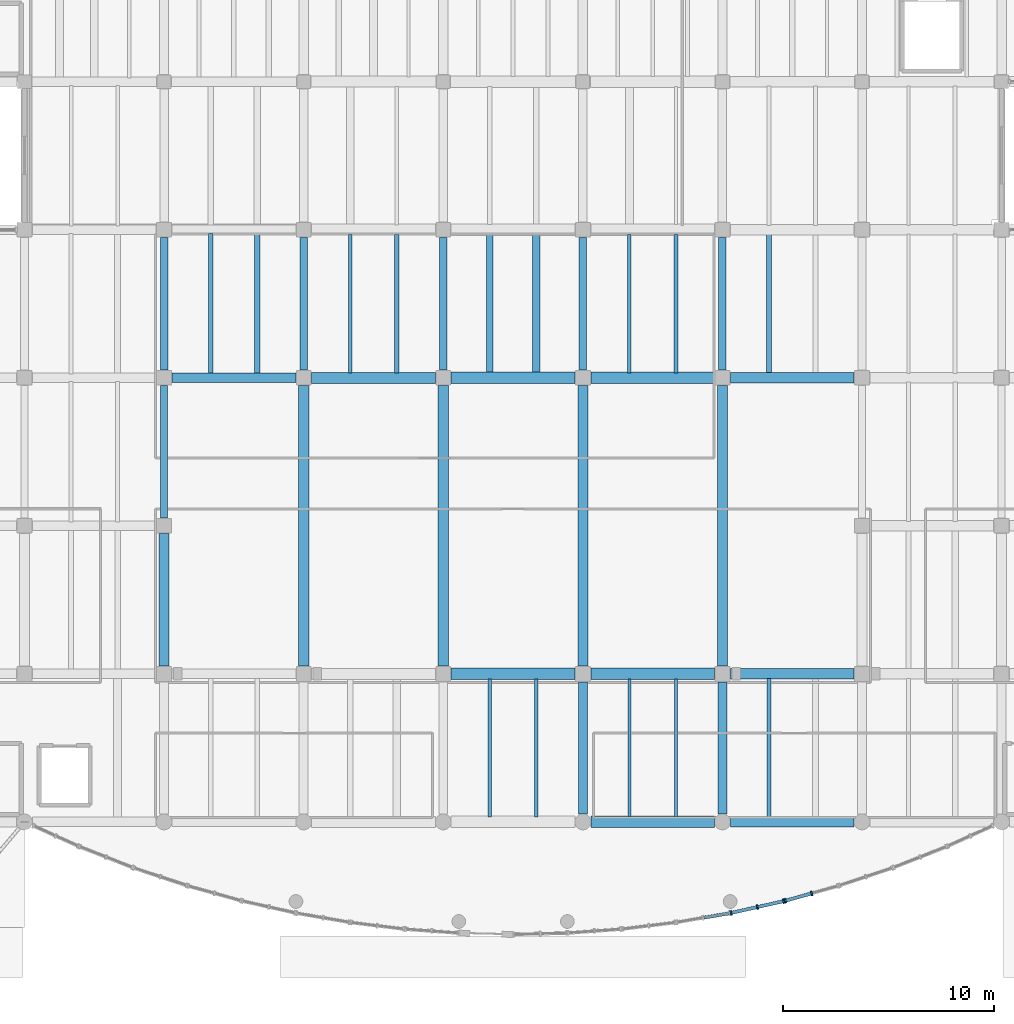
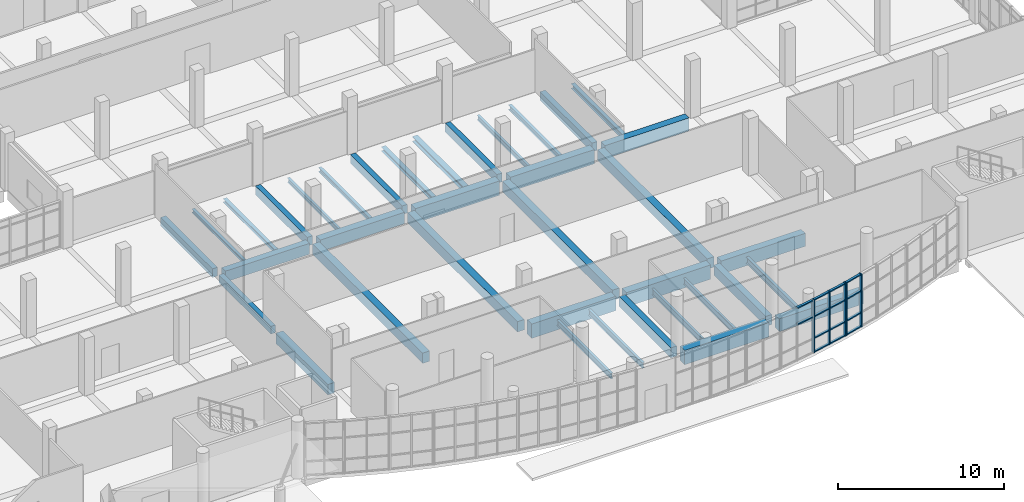
# One storey, part 12 of 69: 37 beams, 19 members, 3 elements without a shape of their own.
"""IFC4 building model written with IfcOpenShell, lengths in metres."""

from ifc_helpers import new_model, si_unit, direction, frame, origin, origin_2d, place, context, subcontext, project, spatial, rectangle, i_section, extrude, material, material_profile, profile_set, type_object, element, aggregate, save


model = new_model("IFC4")

# Units and contexts
model_context = context("Model", 3, precision=1e-05, world=origin(), true_north=direction((0.0, 1.0)))
body_context = subcontext(model_context, "Body", "Model", "MODEL_VIEW")
ifc_project = project(units=[si_unit("LENGTHUNIT", "METRE"), si_unit("AREAUNIT", "SQUARE_METRE"), si_unit("VOLUMEUNIT", "CUBIC_METRE"), si_unit("PLANEANGLEUNIT", "RADIAN"), si_unit("MASSUNIT", "GRAM", prefix="KILO")], contexts=[model_context])

# Site, building, storey
site_placement = place(None, origin())
site = spatial("IfcSite", under=ifc_project, at=site_placement, CompositionType="ELEMENT")
building_placement = place(site_placement, origin())
building = spatial("IfcBuilding", under=site, at=building_placement, Name="Ciguamira Faculty of Natural Sciences", CompositionType="ELEMENT")
storey_placement = place(building_placement, origin())
storey = spatial("IfcBuildingStorey", under=building, at=storey_placement, Name="L00", CompositionType="ELEMENT", Elevation=0.0)

# Curtain wall, members
ifc_material_1 = material(Name="Anodized aluminium curtain wall", Category="aluminium")
curtain_wall_type_1 = type_object("IfcCurtainWallType", Name="CurtainWall_CW-07", PredefinedType="USERDEFINED", material=ifc_material_1)
curtain_wall_1_placement = place(storey_placement, origin())
curtain_wall_1 = element("IfcCurtainWall", 1, at=curtain_wall_1_placement, inside=storey, type_object=curtain_wall_type_1, Name="L00 south gallery curved curtain wall 14", ObjectType="UNITISED CURTAIN WALL", PredefinedType="USERDEFINED")
ifc_material_2 = material(Name="Anodized aluminium mullion", Category="aluminium")
ifc_material_profile_1 = material_profile(ifc_material_2, rectangle(XDim=0.080078125, YDim=0.219970703125, at=origin_2d()), Name="ALU-MUL-80X220")
ifc_profile_set_1 = profile_set([ifc_material_profile_1], Name="Anodized aluminium mullion")
member_type_1 = type_object("IfcMemberType", Name="CWMullion_CWM-03", PredefinedType="MULLION", material=ifc_profile_set_1)
member_1_placement = place(storey_placement, frame((97.3056640625, 5.6953125, 0.0), z_axis=(0.0, 0.0, 1.0), x_axis=(0.975762990759, 0.218830038763, 0.0)))
member_1 = element("IfcMember", 2, at=member_1_placement, type_object=member_type_1, Name="CW-07 mullion 1", PredefinedType="MULLION", context=body_context, shape_type="SweptSolid", body=[
    extrude(rectangle(XDim=0.080078125, YDim=0.219970703125, at=origin_2d()), origin(), (0.0, 0.0, 1.0), 3.89990234375),
])
member_2_placement = place(storey_placement, frame((98.550048828125, 5.974365234375, 0.0), z_axis=(0.0, 0.0, 1.0), x_axis=(0.975762990759, 0.218830038763, 0.0)))
member_2 = element("IfcMember", 3, at=member_2_placement, type_object=member_type_1, Name="CW-07 mullion 2", PredefinedType="MULLION", context=body_context, shape_type="SweptSolid", body=[
    extrude(rectangle(XDim=0.080078125, YDim=0.219970703125, at=origin_2d()), origin(), (0.0, 0.0, 1.0), 3.89990234375),
])
member_3_placement = place(storey_placement, frame((99.794189453125, 6.25341796875, 0.0), z_axis=(0.0, 0.0, 1.0), x_axis=(0.975762990759, 0.218830038763, 0.0)))
member_3 = element("IfcMember", 4, at=member_3_placement, type_object=member_type_1, Name="CW-07 mullion 3", PredefinedType="MULLION", context=body_context, shape_type="SweptSolid", body=[
    extrude(rectangle(XDim=0.080078125, YDim=0.219970703125, at=origin_2d()), origin(), (0.0, 0.0, 1.0), 3.89990234375),
])

curtain_wall_type_2 = type_object("IfcCurtainWallType", Name="CurtainWall_CW-08", PredefinedType="USERDEFINED", material=ifc_material_1)
curtain_wall_2_placement = place(storey_placement, origin())
curtain_wall_2 = element("IfcCurtainWall", 5, at=curtain_wall_2_placement, inside=storey, type_object=curtain_wall_type_2, Name="L00 south gallery curved curtain wall 15", ObjectType="UNITISED CURTAIN WALL", PredefinedType="USERDEFINED")
member_4_placement = place(storey_placement, frame((99.871826171875, 6.272705078125, 0.0), z_axis=(0.0, 0.0, 1.0), x_axis=(0.963573286652, 0.267444426472, 0.0)))
member_4 = element("IfcMember", 6, at=member_4_placement, type_object=member_type_1, Name="CW-08 mullion 1", PredefinedType="MULLION", context=body_context, shape_type="SweptSolid", body=[
    extrude(rectangle(XDim=0.080078125, YDim=0.219970703125, at=origin_2d()), origin(), (0.0, 0.0, 1.0), 3.89990234375),
])
member_5_placement = place(storey_placement, frame((101.11669921875, 6.618408203125, 0.0), z_axis=(0.0, 0.0, 1.0), x_axis=(0.963573286652, 0.267444426472, 0.0)))
member_5 = element("IfcMember", 7, at=member_5_placement, type_object=member_type_1, Name="CW-08 mullion 2", PredefinedType="MULLION", context=body_context, shape_type="SweptSolid", body=[
    extrude(rectangle(XDim=0.080078125, YDim=0.219970703125, at=origin_2d()), origin(), (0.0, 0.0, 1.0), 3.89990234375),
])

curtain_wall_type_3 = type_object("IfcCurtainWallType", Name="CurtainWall_CW-06", PredefinedType="USERDEFINED", material=ifc_material_1)
curtain_wall_3_placement = place(storey_placement, origin())
curtain_wall_3 = element("IfcCurtainWall", 8, at=curtain_wall_3_placement, inside=storey, type_object=curtain_wall_type_3, Name="L00 south gallery curved curtain wall 13", ObjectType="UNITISED CURTAIN WALL", PredefinedType="USERDEFINED")
ifc_material_3 = material(Name="Anodized aluminium transom", Category="aluminium")
ifc_material_profile_2 = material_profile(ifc_material_3, rectangle(XDim=0.080078125, YDim=0.159912109375, at=origin_2d()), Name="ALU-TRN-80X160")
ifc_profile_set_2 = profile_set([ifc_material_profile_2], Name="Anodized aluminium transom")
member_type_2 = type_object("IfcMemberType", Name="CWTransom_CWT-03", PredefinedType="USERDEFINED", material=ifc_profile_set_2)
member_6_placement = place(storey_placement, frame((96.022705078125, 5.4716796875, 2.64990234375), z_axis=(0.985423139827, 0.170121237632, 0.0), x_axis=(0.0, 0.0, 1.0)))
member_6 = element("IfcMember", 9, at=member_6_placement, type_object=member_type_2, Name="CW-06 transom 2.3", ObjectType="TRANSOM", PredefinedType="USERDEFINED", context=body_context, shape_type="SweptSolid", body=[
    extrude(rectangle(XDim=0.080078125, YDim=0.159912109375, at=origin_2d()), origin(), (0.0, 0.0, 1.0), 1.1826171875),
])
member_7_placement = place(storey_placement, frame((96.022705078125, 5.4716796875, 3.860107421875), z_axis=(0.985423139827, 0.170121237632, 0.0), x_axis=(0.0, 0.0, 1.0)))
member_7 = element("IfcMember", 10, at=member_7_placement, type_object=member_type_2, Name="CW-06 transom 2.4", ObjectType="TRANSOM", PredefinedType="USERDEFINED", context=body_context, shape_type="SweptSolid", body=[
    extrude(rectangle(XDim=0.080078125, YDim=0.159912109375, at=origin_2d()), origin(), (0.0, 0.0, 1.0), 1.1826171875),
])
aggregate(curtain_wall_3, [member_6, member_7])

# Member
member_8_placement = place(storey_placement, frame((97.3447265625, 5.7041015625, 0.0400390625), z_axis=(0.97577679791, 0.218768463588, 0.0), x_axis=(0.0, 0.0, 1.0)))
member_8 = element("IfcMember", 11, at=member_8_placement, type_object=member_type_2, Name="CW-07 transom 1.1", ObjectType="TRANSOM", PredefinedType="USERDEFINED", context=body_context, shape_type="SweptSolid", body=[
    extrude(rectangle(XDim=0.080078125, YDim=0.159912109375, at=origin_2d()), origin(), (0.0, 0.0, 1.0), 1.1953125),
])

member_9_placement = place(storey_placement, frame((97.3447265625, 5.7041015625, 1.050048828125), z_axis=(0.97577679791, 0.218768463588, 0.0), x_axis=(0.0, 0.0, 1.0)))
member_9 = element("IfcMember", 12, at=member_9_placement, type_object=member_type_2, Name="CW-07 transom 1.2", ObjectType="TRANSOM", PredefinedType="USERDEFINED", context=body_context, shape_type="SweptSolid", body=[
    extrude(rectangle(XDim=0.080078125, YDim=0.159912109375, at=origin_2d()), origin(), (0.0, 0.0, 1.0), 1.1953125),
])

member_10_placement = place(storey_placement, frame((97.3447265625, 5.7041015625, 2.64990234375), z_axis=(0.97577679791, 0.218768463588, 0.0), x_axis=(0.0, 0.0, 1.0)))
member_10 = element("IfcMember", 13, at=member_10_placement, type_object=member_type_2, Name="CW-07 transom 1.3", ObjectType="TRANSOM", PredefinedType="USERDEFINED", context=body_context, shape_type="SweptSolid", body=[
    extrude(rectangle(XDim=0.080078125, YDim=0.159912109375, at=origin_2d()), origin(), (0.0, 0.0, 1.0), 1.1953125),
])

member_11_placement = place(storey_placement, frame((97.3447265625, 5.7041015625, 3.860107421875), z_axis=(0.97577679791, 0.218768463588, 0.0), x_axis=(0.0, 0.0, 1.0)))
member_11 = element("IfcMember", 14, at=member_11_placement, type_object=member_type_2, Name="CW-07 transom 1.4", ObjectType="TRANSOM", PredefinedType="USERDEFINED", context=body_context, shape_type="SweptSolid", body=[
    extrude(rectangle(XDim=0.080078125, YDim=0.159912109375, at=origin_2d()), origin(), (0.0, 0.0, 1.0), 1.1953125),
])

member_12_placement = place(storey_placement, frame((98.589111328125, 5.983154296875, 0.0400390625), z_axis=(0.975767018908, 0.218812076476, 0.0), x_axis=(0.0, 0.0, 1.0)))
member_12 = element("IfcMember", 15, at=member_12_placement, type_object=member_type_2, Name="CW-07 transom 2.1", ObjectType="TRANSOM", PredefinedType="USERDEFINED", context=body_context, shape_type="SweptSolid", body=[
    extrude(rectangle(XDim=0.080078125, YDim=0.159912109375, at=origin_2d()), origin(), (0.0, 0.0, 1.0), 1.195068359375),
])

member_13_placement = place(storey_placement, frame((98.589111328125, 5.983154296875, 1.050048828125), z_axis=(0.975767018908, 0.218812076476, 0.0), x_axis=(0.0, 0.0, 1.0)))
member_13 = element("IfcMember", 16, at=member_13_placement, type_object=member_type_2, Name="CW-07 transom 2.2", ObjectType="TRANSOM", PredefinedType="USERDEFINED", context=body_context, shape_type="SweptSolid", body=[
    extrude(rectangle(XDim=0.080078125, YDim=0.159912109375, at=origin_2d()), origin(), (0.0, 0.0, 1.0), 1.195068359375),
])

member_14_placement = place(storey_placement, frame((98.589111328125, 5.983154296875, 2.64990234375), z_axis=(0.975767018908, 0.218812076476, 0.0), x_axis=(0.0, 0.0, 1.0)))
member_14 = element("IfcMember", 17, at=member_14_placement, type_object=member_type_2, Name="CW-07 transom 2.3", ObjectType="TRANSOM", PredefinedType="USERDEFINED", context=body_context, shape_type="SweptSolid", body=[
    extrude(rectangle(XDim=0.080078125, YDim=0.159912109375, at=origin_2d()), origin(), (0.0, 0.0, 1.0), 1.195068359375),
])

member_15_placement = place(storey_placement, frame((98.589111328125, 5.983154296875, 3.860107421875), z_axis=(0.975767018908, 0.218812076476, 0.0), x_axis=(0.0, 0.0, 1.0)))
member_15 = element("IfcMember", 18, at=member_15_placement, type_object=member_type_2, Name="CW-07 transom 2.4", ObjectType="TRANSOM", PredefinedType="USERDEFINED", context=body_context, shape_type="SweptSolid", body=[
    extrude(rectangle(XDim=0.080078125, YDim=0.159912109375, at=origin_2d()), origin(), (0.0, 0.0, 1.0), 1.195068359375),
])

aggregate(curtain_wall_1, [member_1, member_2, member_3, member_8, member_9, member_10, member_11, member_12, member_13, member_14, member_15])

member_16_placement = place(storey_placement, frame((99.910400390625, 6.283447265625, 0.0400390625), z_axis=(0.963549650457, 0.267529570522, 0.0), x_axis=(0.0, 0.0, 1.0)))
member_16 = element("IfcMember", 19, at=member_16_placement, type_object=member_type_2, Name="CW-08 transom 1.1", ObjectType="TRANSOM", PredefinedType="USERDEFINED", context=body_context, shape_type="SweptSolid", body=[
    extrude(rectangle(XDim=0.080078125, YDim=0.159912109375, at=origin_2d()), origin(), (0.0, 0.0, 1.0), 1.2119140625),
])

member_17_placement = place(storey_placement, frame((99.910400390625, 6.283447265625, 1.050048828125), z_axis=(0.963549650457, 0.267529570522, 0.0), x_axis=(0.0, 0.0, 1.0)))
member_17 = element("IfcMember", 20, at=member_17_placement, type_object=member_type_2, Name="CW-08 transom 1.2", ObjectType="TRANSOM", PredefinedType="USERDEFINED", context=body_context, shape_type="SweptSolid", body=[
    extrude(rectangle(XDim=0.080078125, YDim=0.159912109375, at=origin_2d()), origin(), (0.0, 0.0, 1.0), 1.2119140625),
])

member_18_placement = place(storey_placement, frame((99.910400390625, 6.283447265625, 2.64990234375), z_axis=(0.963549650457, 0.267529570522, 0.0), x_axis=(0.0, 0.0, 1.0)))
member_18 = element("IfcMember", 21, at=member_18_placement, type_object=member_type_2, Name="CW-08 transom 1.3", ObjectType="TRANSOM", PredefinedType="USERDEFINED", context=body_context, shape_type="SweptSolid", body=[
    extrude(rectangle(XDim=0.080078125, YDim=0.159912109375, at=origin_2d()), origin(), (0.0, 0.0, 1.0), 1.2119140625),
])

member_19_placement = place(storey_placement, frame((99.910400390625, 6.283447265625, 3.860107421875), z_axis=(0.963549650457, 0.267529570522, 0.0), x_axis=(0.0, 0.0, 1.0)))
member_19 = element("IfcMember", 22, at=member_19_placement, type_object=member_type_2, Name="CW-08 transom 1.4", ObjectType="TRANSOM", PredefinedType="USERDEFINED", context=body_context, shape_type="SweptSolid", body=[
    extrude(rectangle(XDim=0.080078125, YDim=0.159912109375, at=origin_2d()), origin(), (0.0, 0.0, 1.0), 1.2119140625),
])

aggregate(curtain_wall_2, [member_4, member_5, member_16, member_17, member_18, member_19])

# Beams
ifc_material_4 = material(Name="Concrete C40/50", Category="concrete")
ifc_material_profile_3 = material_profile(ifc_material_4, rectangle(XDim=0.550048828125, YDim=1.050048828125, at=origin_2d()), Name="RC-BM-550X1050")
ifc_profile_set_3 = profile_set([ifc_material_profile_3], Name="Concrete C40/50")
beam_type_1 = type_object("IfcBeamType", Name="RCBeam_BG-01_RC-BM-550X1050", PredefinedType="BEAM", material=ifc_profile_set_3)
beam_1_placement = place(storey_placement, frame((90.675048828125, 10.0, -0.52490234375), z_axis=(1.0, 0.0, 0.0), x_axis=(0.0, 1.0, 0.0)))
element("IfcBeam", 23, at=beam_1_placement, inside=storey, type_object=beam_type_1, Name="L00 RC girder EW-0028", PredefinedType="BEAM", context=body_context, shape_type="SweptSolid", body=[
    extrude(rectangle(XDim=0.550048828125, YDim=1.050048828125, at=origin_2d()), origin(), (0.0, 0.0, 1.0), 5.849853515625),
])
beam_2_placement = place(storey_placement, frame((84.074951171875, 17.0, -0.52490234375), z_axis=(1.0, 0.0, 0.0), x_axis=(0.0, 1.0, 0.0)))
element("IfcBeam", 24, at=beam_2_placement, inside=storey, type_object=beam_type_1, Name="L00 RC girder EW-0045", PredefinedType="BEAM", context=body_context, shape_type="SweptSolid", body=[
    extrude(rectangle(XDim=0.550048828125, YDim=1.050048828125, at=origin_2d()), origin(), (0.0, 0.0, 1.0), 5.85009765625),
])
beam_3_placement = place(storey_placement, frame((90.675048828125, 17.0, -0.52490234375), z_axis=(1.0, 0.0, 0.0), x_axis=(0.0, 1.0, 0.0)))
element("IfcBeam", 25, at=beam_3_placement, inside=storey, type_object=beam_type_1, Name="L00 RC girder EW-0046", PredefinedType="BEAM", context=body_context, shape_type="SweptSolid", body=[
    extrude(rectangle(XDim=0.550048828125, YDim=1.050048828125, at=origin_2d()), origin(), (0.0, 0.0, 1.0), 5.849853515625),
])
beam_4_placement = place(storey_placement, frame((84.074951171875, 31.0, -0.52490234375), z_axis=(1.0, 0.0, 0.0), x_axis=(0.0, 1.0, 0.0)))
element("IfcBeam", 26, at=beam_4_placement, inside=storey, type_object=beam_type_1, Name="L00 RC girder EW-0083", PredefinedType="BEAM", context=body_context, shape_type="SweptSolid", body=[
    extrude(rectangle(XDim=0.550048828125, YDim=1.050048828125, at=origin_2d()), origin(), (0.0, 0.0, 1.0), 5.85009765625),
])
beam_5_placement = place(storey_placement, frame((90.675048828125, 31.0, -0.52490234375), z_axis=(1.0, 0.0, 0.0), x_axis=(0.0, 1.0, 0.0)))
element("IfcBeam", 27, at=beam_5_placement, inside=storey, type_object=beam_type_1, Name="L00 RC girder EW-0084", PredefinedType="BEAM", context=body_context, shape_type="SweptSolid", body=[
    extrude(rectangle(XDim=0.550048828125, YDim=1.050048828125, at=origin_2d()), origin(), (0.0, 0.0, 1.0), 5.849853515625),
])
ifc_material_profile_4 = material_profile(ifc_material_4, rectangle(XDim=0.5, YDim=0.949951171875, at=origin_2d()), Name="RC-BM-500X950")
ifc_profile_set_4 = profile_set([ifc_material_profile_4], Name="Concrete C40/50")
beam_type_2 = type_object("IfcBeamType", Name="RCBeam_BG-02_RC-BM-500X950", PredefinedType="BEAM", material=ifc_profile_set_4)
for number, where, z_axis, x_axis, name in (
    (28, (97.27490234375, 10.0, -0.47509765625), (1.0, 0.0, 0.0), (0.0, 1.0, 0.0), "L00 RC girder EW-0029"),
    (29, (97.27490234375, 17.0, -0.47509765625), (1.0, 0.0, 0.0), (0.0, 1.0, 0.0), "L00 RC girder EW-0047"),
    (30, (97.27490234375, 31.0, -0.47509765625), (1.0, 0.0, 0.0), (0.0, 1.0, 0.0), "L00 RC girder EW-0085"),
):
    element("IfcBeam", number, at=place(storey_placement, frame(where, z_axis=z_axis, x_axis=x_axis)), inside=storey, type_object=beam_type_2, Name=name, PredefinedType="BEAM", context=body_context, shape_type="SweptSolid", body=[
        extrude(rectangle(XDim=0.5, YDim=0.949951171875, at=origin_2d()), origin(), (0.0, 0.0, 1.0), 5.85009765625),
    ])
ifc_material_profile_5 = material_profile(ifc_material_4, rectangle(XDim=0.449951171875, YDim=0.800048828125, at=origin_2d()), Name="RC-BM-450X800")
ifc_profile_set_5 = profile_set([ifc_material_profile_5], Name="Concrete C40/50")
beam_type_3 = type_object("IfcBeamType", Name="RCBeam_BG-05_RC-BM-450X800", PredefinedType="BEAM", material=ifc_profile_set_5)
beam_6_placement = place(storey_placement, frame((70.875, 31.0, -0.39990234375), z_axis=(1.0, 0.0, 0.0), x_axis=(0.0, 1.0, 0.0)))
element("IfcBeam", 31, at=beam_6_placement, inside=storey, type_object=beam_type_3, Name="L00 RC girder EW-0081", PredefinedType="BEAM", context=body_context, shape_type="SweptSolid", body=[
    extrude(rectangle(XDim=0.449951171875, YDim=0.800048828125, at=origin_2d()), origin(), (0.0, 0.0, 1.0), 5.85009765625),
])
ifc_material_profile_6 = material_profile(ifc_material_4, rectangle(XDim=0.419921875, YDim=0.739990234375, at=origin_2d()), Name="RC-BM-420X740")
ifc_profile_set_6 = profile_set([ifc_material_profile_6], Name="Concrete C40/50")
beam_type_4 = type_object("IfcBeamType", Name="RCBeam_BG-07_RC-BM-420X740", PredefinedType="BEAM", material=ifc_profile_set_6)
for number, where, z_axis, x_axis, name in (
    (32, (90.300048828125, 10.375, -0.3701171875), (0.0, 1.0, 0.0), (-1.0, 0.0, 0.0), "L00 girder NS-0277"),
    (33, (96.89990234375, 10.375, -0.3701171875), (0.0, 1.0, 0.0), (-1.0, 0.0, 0.0), "L00 girder NS-0289"),
):
    element("IfcBeam", number, at=place(storey_placement, frame(where, z_axis=z_axis, x_axis=x_axis)), inside=storey, type_object=beam_type_4, Name=name, PredefinedType="BEAM", context=body_context, shape_type="SweptSolid", body=[
        extrude(rectangle(XDim=0.419921875, YDim=0.739990234375, at=origin_2d()), origin(), (0.0, 0.0, 1.0), 6.25),
    ])
ifc_material_profile_7 = material_profile(ifc_material_4, rectangle(XDim=0.360107421875, YDim=0.639892578125, at=origin_2d()), Name="RC-BM-360X640")
ifc_profile_set_7 = profile_set([ifc_material_profile_7], Name="Concrete C40/50")
beam_type_5 = type_object("IfcBeamType", Name="RCBeam_BG-10_RC-BM-360X640", PredefinedType="BEAM", material=ifc_profile_set_7)
for number, where, z_axis, x_axis, name in (
    (34, (70.5, 31.375, -0.320068359375), (0.0, 1.0, 0.0), (-1.0, 0.0, 0.0), "L00 girder NS-0245"),
    (35, (77.10009765625, 31.375, -0.320068359375), (0.0, 1.0, 0.0), (-1.0, 0.0, 0.0), "L00 girder NS-0256"),
    (36, (83.699951171875, 31.375, -0.320068359375), (0.0, 1.0, 0.0), (-1.0, 0.0, 0.0), "L00 girder NS-0267"),
    (37, (90.300048828125, 31.375, -0.320068359375), (0.0, 1.0, 0.0), (-1.0, 0.0, 0.0), "L00 girder NS-0279"),
    (38, (96.89990234375, 31.375, -0.320068359375), (0.0, 1.0, 0.0), (-1.0, 0.0, 0.0), "L00 girder NS-0291"),
):
    element("IfcBeam", number, at=place(storey_placement, frame(where, z_axis=z_axis, x_axis=x_axis)), inside=storey, type_object=beam_type_5, Name=name, PredefinedType="BEAM", context=body_context, shape_type="SweptSolid", body=[
        extrude(rectangle(XDim=0.360107421875, YDim=0.639892578125, at=origin_2d()), origin(), (0.0, 0.0, 1.0), 6.25),
    ])
ifc_material_profile_8 = material_profile(ifc_material_4, rectangle(XDim=0.320068359375, YDim=0.56005859375, at=origin_2d()), Name="RC-BM-320X560")
ifc_profile_set_8 = profile_set([ifc_material_profile_8], Name="Concrete C40/50")
beam_type_6 = type_object("IfcBeamType", Name="RCBeam_BG-12_RC-BM-320X560", PredefinedType="BEAM", material=ifc_profile_set_8)
beam_7_placement = place(storey_placement, frame((70.5, 24.375, -0.280029296875), z_axis=(0.0, 1.0, 0.0), x_axis=(-1.0, 0.0, 0.0)))
element("IfcBeam", 39, at=beam_7_placement, inside=storey, type_object=beam_type_6, Name="L00 girder NS-0244", PredefinedType="BEAM", context=body_context, shape_type="SweptSolid", body=[
    extrude(rectangle(XDim=0.320068359375, YDim=0.56005859375, at=origin_2d()), origin(), (0.0, 0.0, 1.0), 6.25),
])
ifc_material_profile_9 = material_profile(ifc_material_4, rectangle(XDim=0.47998046875, YDim=0.760009765625, at=origin_2d()), Name="RC-TB-480X760")
ifc_profile_set_9 = profile_set([ifc_material_profile_9], Name="Concrete C40/50")
beam_type_7 = type_object("IfcBeamType", Name="RCBeam_TB-01_RC-TB-480X760", PredefinedType="T_BEAM", material=ifc_profile_set_9)
beam_8_placement = place(storey_placement, frame((70.5, 17.375, -0.3798828125), z_axis=(0.0, 1.0, 0.0), x_axis=(-1.0, 0.0, 0.0)))
element("IfcBeam", 40, at=beam_8_placement, inside=storey, type_object=beam_type_7, Name="L00 girder NS-0243", PredefinedType="T_BEAM", context=body_context, shape_type="SweptSolid", body=[
    extrude(rectangle(XDim=0.47998046875, YDim=0.760009765625, at=origin_2d()), origin(), (0.0, 0.0, 1.0), 6.25),
])
for number, where, z_axis, x_axis, name in (
    (41, (77.10009765625, 17.375, -0.3798828125), (0.0, 1.0, 0.0), (-1.0, 0.0, 0.0), "L00 girder NS-0255"),
    (42, (83.699951171875, 17.375, -0.3798828125), (0.0, 1.0, 0.0), (-1.0, 0.0, 0.0), "L00 girder NS-0266"),
    (43, (90.300048828125, 17.375, -0.3798828125), (0.0, 1.0, 0.0), (-1.0, 0.0, 0.0), "L00 girder NS-0278"),
    (44, (96.89990234375, 17.375, -0.3798828125), (0.0, 1.0, 0.0), (-1.0, 0.0, 0.0), "L00 girder NS-0290"),
):
    element("IfcBeam", number, at=place(storey_placement, frame(where, z_axis=z_axis, x_axis=x_axis)), inside=storey, type_object=beam_type_7, Name=name, PredefinedType="T_BEAM", context=body_context, shape_type="SweptSolid", body=[
        extrude(rectangle(XDim=0.47998046875, YDim=0.760009765625, at=origin_2d()), origin(), (0.0, 0.0, 1.0), 13.25),
    ])
ifc_material_profile_10 = material_profile(ifc_material_4, rectangle(XDim=0.52001953125, YDim=0.840087890625, at=origin_2d()), Name="RC-TB-520X840")
ifc_profile_set_10 = profile_set([ifc_material_profile_10], Name="Concrete C40/50")
beam_type_8 = type_object("IfcBeamType", Name="RCBeam_TB-02_RC-TB-520X840", PredefinedType="T_BEAM", material=ifc_profile_set_10)
beam_9_placement = place(storey_placement, frame((77.47509765625, 31.0, -0.419921875), z_axis=(1.0, 0.0, 0.0), x_axis=(0.0, 1.0, 0.0)))
element("IfcBeam", 45, at=beam_9_placement, inside=storey, type_object=beam_type_8, Name="L00 RC girder EW-0082", PredefinedType="T_BEAM", context=body_context, shape_type="SweptSolid", body=[
    extrude(rectangle(XDim=0.52001953125, YDim=0.840087890625, at=origin_2d()), origin(), (0.0, 0.0, 1.0), 5.849853515625),
])
ifc_material_5 = material(Name="Steel ASTM A992 Grade 50", Category="steel")
ifc_material_profile_11 = material_profile(ifc_material_5, i_section(OverallWidth=0.2021484375, OverallDepth=0.2470703125, WebThickness=0.00732421875, FlangeThickness=0.010986328125, at=origin_2d()), Name="W10X33")
ifc_profile_set_11 = profile_set([ifc_material_profile_11], Name="Steel ASTM A992 Grade 50")
beam_type_9 = type_object("IfcBeamType", Name="SteelJoist_SJ-02_W10X33", PredefinedType="JOIST", material=ifc_profile_set_11)
beam_10_placement = place(storey_placement, frame((72.699951171875, 31.18505859375, -0.423583984375), z_axis=(0.0, 1.0, 0.0), x_axis=(-1.0, 0.0, 0.0)))
element("IfcBeam", 46, at=beam_10_placement, inside=storey, type_object=beam_type_9, Name="L00 composite steel joist 00123", PredefinedType="JOIST", context=body_context, shape_type="SweptSolid", body=[
    extrude(i_section(OverallWidth=0.2021484375, OverallDepth=0.2470703125, WebThickness=0.00732421875, FlangeThickness=0.010986328125, at=origin_2d()), origin(), (0.0, 0.0, 1.0), 6.6298828125),
])
ifc_material_profile_12 = material_profile(ifc_material_5, i_section(OverallWidth=0.25390625, OverallDepth=0.25390625, WebThickness=0.008544921875, FlangeThickness=0.01416015625, at=origin_2d()), Name="W10X49")
ifc_profile_set_12 = profile_set([ifc_material_profile_12], Name="Steel ASTM A992 Grade 50")
beam_type_10 = type_object("IfcBeamType", Name="SteelJoist_SJ-03_W10X49", PredefinedType="JOIST", material=ifc_profile_set_12)
beam_11_placement = place(storey_placement, frame((74.89990234375, 31.18505859375, -0.427001953125), z_axis=(0.0, 1.0, 0.0), x_axis=(-1.0, 0.0, 0.0)))
element("IfcBeam", 47, at=beam_11_placement, inside=storey, type_object=beam_type_10, Name="L00 composite steel joist 00124", PredefinedType="JOIST", context=body_context, shape_type="SweptSolid", body=[
    extrude(i_section(OverallWidth=0.25390625, OverallDepth=0.25390625, WebThickness=0.008544921875, FlangeThickness=0.01416015625, at=origin_2d()), origin(), (0.0, 0.0, 1.0), 6.6298828125),
])
ifc_material_profile_13 = material_profile(ifc_material_5, i_section(OverallWidth=0.16650390625, OverallDepth=0.3173828125, WebThickness=0.007568359375, FlangeThickness=0.01318359375, at=origin_2d()), Name="W12X35")
ifc_profile_set_13 = profile_set([ifc_material_profile_13], Name="Steel ASTM A992 Grade 50")
beam_type_11 = type_object("IfcBeamType", Name="SteelJoist_SJ-05_W12X35", PredefinedType="JOIST", material=ifc_profile_set_13)
beam_12_placement = place(storey_placement, frame((79.300048828125, 31.219970703125, -0.458740234375), z_axis=(0.0, 1.0, 0.0), x_axis=(-1.0, 0.0, 0.0)))
element("IfcBeam", 48, at=beam_12_placement, inside=storey, type_object=beam_type_11, Name="L00 composite steel joist 00148", PredefinedType="JOIST", context=body_context, shape_type="SweptSolid", body=[
    extrude(i_section(OverallWidth=0.16650390625, OverallDepth=0.3173828125, WebThickness=0.007568359375, FlangeThickness=0.01318359375, at=origin_2d()), origin(), (0.0, 0.0, 1.0), 6.56005859375),
])
ifc_material_profile_14 = material_profile(ifc_material_5, i_section(OverallWidth=0.20458984375, OverallDepth=0.307373046875, WebThickness=0.008544921875, FlangeThickness=0.0146484375, at=origin_2d()), Name="W12X45")
ifc_profile_set_14 = profile_set([ifc_material_profile_14], Name="Steel ASTM A992 Grade 50")
beam_type_12 = type_object("IfcBeamType", Name="SteelJoist_SJ-06_W12X45", PredefinedType="JOIST", material=ifc_profile_set_14)
beam_13_placement = place(storey_placement, frame((81.5, 31.219970703125, -0.45361328125), z_axis=(0.0, 1.0, 0.0), x_axis=(-1.0, 0.0, 0.0)))
element("IfcBeam", 49, at=beam_13_placement, inside=storey, type_object=beam_type_12, Name="L00 composite steel joist 00149", PredefinedType="JOIST", context=body_context, shape_type="SweptSolid", body=[
    extrude(i_section(OverallWidth=0.20458984375, OverallDepth=0.307373046875, WebThickness=0.008544921875, FlangeThickness=0.0146484375, at=origin_2d()), origin(), (0.0, 0.0, 1.0), 6.56005859375),
])
ifc_material_profile_15 = material_profile(ifc_material_5, i_section(OverallWidth=0.3046875, OverallDepth=0.307373046875, WebThickness=0.010009765625, FlangeThickness=0.015380859375, at=origin_2d()), Name="W12X65")
ifc_profile_set_15 = profile_set([ifc_material_profile_15], Name="Steel ASTM A992 Grade 50")
beam_type_13 = type_object("IfcBeamType", Name="SteelJoist_SJ-08_W12X65", PredefinedType="JOIST", material=ifc_profile_set_15)
beam_14_placement = place(storey_placement, frame((85.89990234375, 31.235107421875, -0.45361328125), z_axis=(0.0, 1.0, 0.0), x_axis=(-1.0, 0.0, 0.0)))
element("IfcBeam", 50, at=beam_14_placement, inside=storey, type_object=beam_type_13, Name="L00 composite steel joist 00174", PredefinedType="JOIST", context=body_context, shape_type="SweptSolid", body=[
    extrude(i_section(OverallWidth=0.3046875, OverallDepth=0.307373046875, WebThickness=0.010009765625, FlangeThickness=0.015380859375, at=origin_2d()), origin(), (0.0, 0.0, 1.0), 6.52978515625),
])
ifc_material_profile_16 = material_profile(ifc_material_5, i_section(OverallWidth=0.370849609375, OverallDepth=0.36328125, WebThickness=0.013427734375, FlangeThickness=0.021728515625, at=origin_2d()), Name="W14X109")
ifc_profile_set_16 = profile_set([ifc_material_profile_16], Name="Steel ASTM A992 Grade 50")
beam_type_14 = type_object("IfcBeamType", Name="SteelJoist_SJ-09_W14X109", PredefinedType="JOIST", material=ifc_profile_set_16)
beam_15_placement = place(storey_placement, frame((88.10009765625, 31.235107421875, -0.481689453125), z_axis=(0.0, 1.0, 0.0), x_axis=(-1.0, 0.0, 0.0)))
element("IfcBeam", 51, at=beam_15_placement, inside=storey, type_object=beam_type_14, Name="L00 composite steel joist 00175", PredefinedType="JOIST", context=body_context, shape_type="SweptSolid", body=[
    extrude(i_section(OverallWidth=0.370849609375, OverallDepth=0.36328125, WebThickness=0.013427734375, FlangeThickness=0.021728515625, at=origin_2d()), origin(), (0.0, 0.0, 1.0), 6.52978515625),
])
ifc_material_profile_17 = material_profile(ifc_material_5, i_section(OverallWidth=0.1708984375, OverallDepth=0.3505859375, WebThickness=0.0068359375, FlangeThickness=0.009765625, at=origin_2d()), Name="W14X30")
ifc_profile_set_17 = profile_set([ifc_material_profile_17], Name="Steel ASTM A992 Grade 50")
beam_type_15 = type_object("IfcBeamType", Name="SteelJoist_SJ-11_W14X30", PredefinedType="JOIST", material=ifc_profile_set_17)
beam_16_placement = place(storey_placement, frame((92.5, 31.235107421875, -0.475341796875), z_axis=(0.0, 1.0, 0.0), x_axis=(-1.0, 0.0, 0.0)))
element("IfcBeam", 52, at=beam_16_placement, inside=storey, type_object=beam_type_15, Name="L00 composite steel joist 00199", PredefinedType="JOIST", context=body_context, shape_type="SweptSolid", body=[
    extrude(i_section(OverallWidth=0.1708984375, OverallDepth=0.3505859375, WebThickness=0.0068359375, FlangeThickness=0.009765625, at=origin_2d()), origin(), (0.0, 0.0, 1.0), 6.52978515625),
])
ifc_material_profile_18 = material_profile(ifc_material_5, i_section(OverallWidth=0.203125, OverallDepth=0.347900390625, WebThickness=0.0078125, FlangeThickness=0.013427734375, at=origin_2d()), Name="W14X43")
ifc_profile_set_18 = profile_set([ifc_material_profile_18], Name="Steel ASTM A992 Grade 50")
beam_type_16 = type_object("IfcBeamType", Name="SteelJoist_SJ-12_W14X43", PredefinedType="JOIST", material=ifc_profile_set_18)
beam_17_placement = place(storey_placement, frame((94.699951171875, 31.235107421875, -0.47412109375), z_axis=(0.0, 1.0, 0.0), x_axis=(-1.0, 0.0, 0.0)))
element("IfcBeam", 53, at=beam_17_placement, inside=storey, type_object=beam_type_16, Name="L00 composite steel joist 00200", PredefinedType="JOIST", context=body_context, shape_type="SweptSolid", body=[
    extrude(i_section(OverallWidth=0.203125, OverallDepth=0.347900390625, WebThickness=0.0078125, FlangeThickness=0.013427734375, at=origin_2d()), origin(), (0.0, 0.0, 1.0), 6.52978515625),
])
ifc_material_profile_19 = material_profile(ifc_material_5, i_section(OverallWidth=0.25390625, OverallDepth=0.355712890625, WebThickness=0.010498046875, FlangeThickness=0.018310546875, at=origin_2d()), Name="W14X68")
ifc_profile_set_19 = profile_set([ifc_material_profile_19], Name="Steel ASTM A992 Grade 50")
beam_type_17 = type_object("IfcBeamType", Name="SteelJoist_SJ-14_W14X68", PredefinedType="JOIST", material=ifc_profile_set_19)
beam_18_placement = place(storey_placement, frame((99.10009765625, 31.2099609375, -0.477783203125), z_axis=(0.0, 1.0, 0.0), x_axis=(-1.0, 0.0, 0.0)))
element("IfcBeam", 54, at=beam_18_placement, inside=storey, type_object=beam_type_17, Name="L00 composite steel joist 00225", PredefinedType="JOIST", context=body_context, shape_type="SweptSolid", body=[
    extrude(i_section(OverallWidth=0.25390625, OverallDepth=0.355712890625, WebThickness=0.010498046875, FlangeThickness=0.018310546875, at=origin_2d()), origin(), (0.0, 0.0, 1.0), 6.580078125),
])
ifc_material_profile_20 = material_profile(ifc_material_5, i_section(OverallWidth=0.177490234375, OverallDepth=0.40380859375, WebThickness=0.007568359375, FlangeThickness=0.010986328125, at=origin_2d()), Name="W16X36")
ifc_profile_set_20 = profile_set([ifc_material_profile_20], Name="Steel ASTM A992 Grade 50")
beam_type_18 = type_object("IfcBeamType", Name="SteelJoist_SJ-18_W16X36", PredefinedType="JOIST", material=ifc_profile_set_20)
beam_19_placement = place(storey_placement, frame((85.89990234375, 10.235107421875, -0.501953125), z_axis=(0.0, 1.0, 0.0), x_axis=(-1.0, 0.0, 0.0)))
element("IfcBeam", 55, at=beam_19_placement, inside=storey, type_object=beam_type_18, Name="L00 composite steel joist 00172", PredefinedType="JOIST", context=body_context, shape_type="SweptSolid", body=[
    extrude(i_section(OverallWidth=0.177490234375, OverallDepth=0.40380859375, WebThickness=0.007568359375, FlangeThickness=0.010986328125, at=origin_2d()), origin(), (0.0, 0.0, 1.0), 6.52978515625),
])
ifc_material_profile_21 = material_profile(ifc_material_5, i_section(OverallWidth=0.1787109375, OverallDepth=0.408935546875, WebThickness=0.0087890625, FlangeThickness=0.014404296875, at=origin_2d()), Name="W16X45")
ifc_profile_set_21 = profile_set([ifc_material_profile_21], Name="Steel ASTM A992 Grade 50")
beam_type_19 = type_object("IfcBeamType", Name="SteelJoist_SJ-19_W16X45", PredefinedType="JOIST", material=ifc_profile_set_21)
beam_20_placement = place(storey_placement, frame((88.10009765625, 10.235107421875, -0.50439453125), z_axis=(0.0, 1.0, 0.0), x_axis=(-1.0, 0.0, 0.0)))
element("IfcBeam", 56, at=beam_20_placement, inside=storey, type_object=beam_type_19, Name="L00 composite steel joist 00173", PredefinedType="JOIST", context=body_context, shape_type="SweptSolid", body=[
    extrude(i_section(OverallWidth=0.1787109375, OverallDepth=0.408935546875, WebThickness=0.0087890625, FlangeThickness=0.014404296875, at=origin_2d()), origin(), (0.0, 0.0, 1.0), 6.52978515625),
])
ifc_material_profile_22 = material_profile(ifc_material_5, i_section(OverallWidth=0.15234375, OverallDepth=0.449462890625, WebThickness=0.007568359375, FlangeThickness=0.0107421875, at=origin_2d()), Name="W18X35")
ifc_profile_set_22 = profile_set([ifc_material_profile_22], Name="Steel ASTM A992 Grade 50")
beam_type_20 = type_object("IfcBeamType", Name="SteelJoist_SJ-21_W18X35", PredefinedType="JOIST", material=ifc_profile_set_22)
beam_21_placement = place(storey_placement, frame((92.5, 10.235107421875, -0.52490234375), z_axis=(0.0, 1.0, 0.0), x_axis=(-1.0, 0.0, 0.0)))
element("IfcBeam", 57, at=beam_21_placement, inside=storey, type_object=beam_type_20, Name="L00 composite steel joist 00197", PredefinedType="JOIST", context=body_context, shape_type="SweptSolid", body=[
    extrude(i_section(OverallWidth=0.15234375, OverallDepth=0.449462890625, WebThickness=0.007568359375, FlangeThickness=0.0107421875, at=origin_2d()), origin(), (0.0, 0.0, 1.0), 6.52978515625),
])
ifc_material_profile_23 = material_profile(ifc_material_5, i_section(OverallWidth=0.15283203125, OverallDepth=0.45458984375, WebThickness=0.008056640625, FlangeThickness=0.013427734375, at=origin_2d()), Name="W18X40")
ifc_profile_set_23 = profile_set([ifc_material_profile_23], Name="Steel ASTM A992 Grade 50")
beam_type_21 = type_object("IfcBeamType", Name="SteelJoist_SJ-22_W18X40", PredefinedType="JOIST", material=ifc_profile_set_23)
beam_22_placement = place(storey_placement, frame((94.699951171875, 10.235107421875, -0.52734375), z_axis=(0.0, 1.0, 0.0), x_axis=(-1.0, 0.0, 0.0)))
element("IfcBeam", 58, at=beam_22_placement, inside=storey, type_object=beam_type_21, Name="L00 composite steel joist 00198", PredefinedType="JOIST", context=body_context, shape_type="SweptSolid", body=[
    extrude(i_section(OverallWidth=0.15283203125, OverallDepth=0.45458984375, WebThickness=0.008056640625, FlangeThickness=0.013427734375, at=origin_2d()), origin(), (0.0, 0.0, 1.0), 6.52978515625),
])
ifc_material_profile_24 = material_profile(ifc_material_5, i_section(OverallWidth=0.19287109375, OverallDepth=0.46728515625, WebThickness=0.011474609375, FlangeThickness=0.01904296875, at=origin_2d()), Name="W18X65")
ifc_profile_set_24 = profile_set([ifc_material_profile_24], Name="Steel ASTM A992 Grade 50")
beam_type_22 = type_object("IfcBeamType", Name="SteelJoist_SJ-24_W18X65", PredefinedType="JOIST", material=ifc_profile_set_24)
beam_23_placement = place(storey_placement, frame((99.10009765625, 10.2099609375, -0.53369140625), z_axis=(0.0, 1.0, 0.0), x_axis=(-1.0, 0.0, 0.0)))
element("IfcBeam", 59, at=beam_23_placement, inside=storey, type_object=beam_type_22, Name="L00 composite steel joist 00223", PredefinedType="JOIST", context=body_context, shape_type="SweptSolid", body=[
    extrude(i_section(OverallWidth=0.19287109375, OverallDepth=0.46728515625, WebThickness=0.011474609375, FlangeThickness=0.01904296875, at=origin_2d()), origin(), (0.0, 0.0, 1.0), 6.580078125),
])

save(model, "model.ifc")
